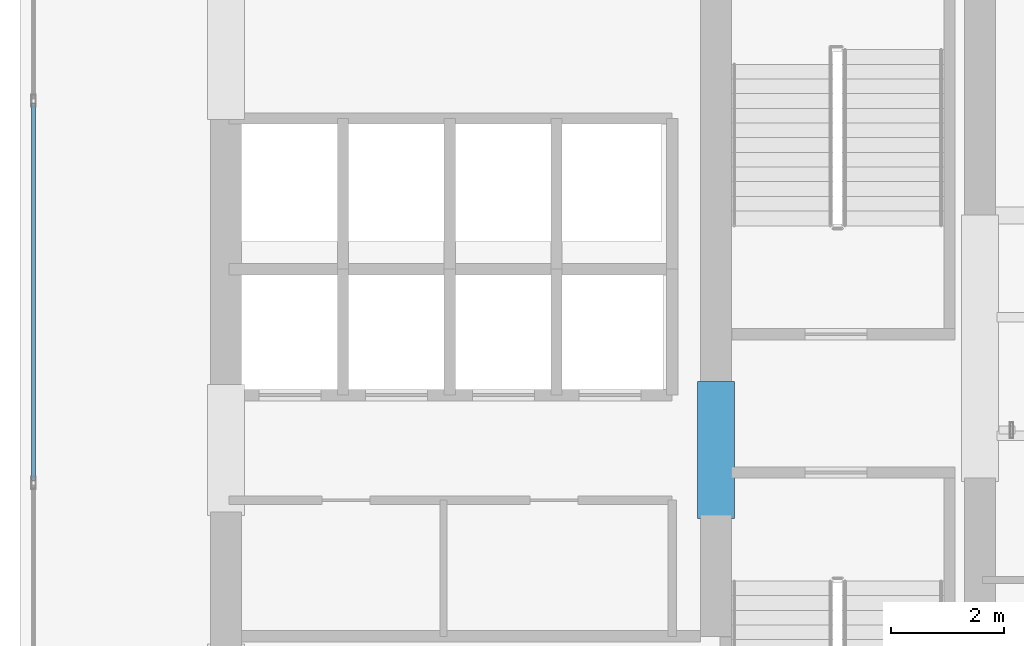
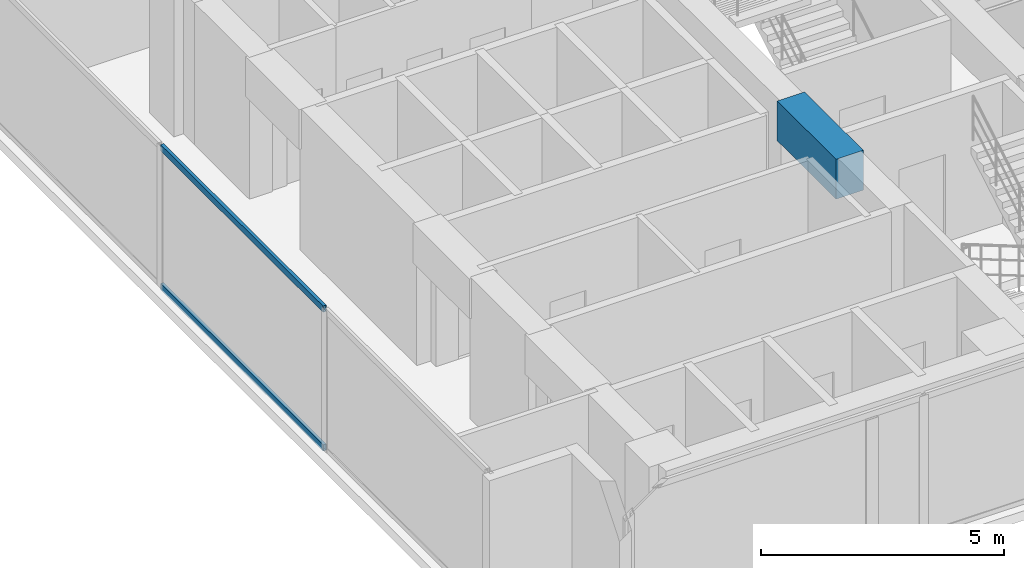
# One storey, part 3 of 25: 2 members, 1 beam, 1 element without a shape of its own.
"""IFC4 building model written with IfcOpenShell, lengths in metres."""

import ifcopenshell
import ifcopenshell.guid

model = None  # the IFC model being written
_history = None  # IfcOwnerHistory: only IFC2X3 demands one
_inside = {}  # id of a spatial element -> (the spatial element, [elements in it])
_under = {}  # id of a project, library or spatial element -> (it, [spatial elements below it])
_declared = {}  # id of a project -> (the project, [libraries it declares])
_typed = {}  # id of a type object -> (the type object, [elements of that type])
_made_of = {}  # id of a material, layer set ... -> (it, [elements and type objects made of it])


def new_model(schema):
    """Start an empty IFC model of exactly this schema.

    Asked for "IFC4X3", IfcOpenShell would pick the latest addendum, in which some entities
    have other attributes; the version numbers below select the first issue.
    IFC2X3 requires an IfcOwnerHistory on every rooted entity: one is made here for all.
    """
    global model, _history
    if schema == "IFC4X3":
        model = ifcopenshell.file(schema_version=(4, 3, 0, 0))
    else:
        model = ifcopenshell.file(schema=schema)
    _inside.clear()
    _under.clear()
    _declared.clear()
    _typed.clear()
    _made_of.clear()
    _history = None
    if model.schema == "IFC2X3":
        org = make("IfcOrganization", Name="unknown")
        user = make(
            "IfcPersonAndOrganization",
            ThePerson=make("IfcPerson", FamilyName="unknown"),
            TheOrganization=org,
        )
        app = make(
            "IfcApplication",
            ApplicationDeveloper=org,
            Version="unknown",
            ApplicationFullName="unknown",
            ApplicationIdentifier="unknown",
        )
        _history = make(
            "IfcOwnerHistory",
            OwningUser=user,
            OwningApplication=app,
            ChangeAction="ADDED",
            CreationDate=0,
        )
    return model


def make(cls, **values):
    """One entity of the class cls with the attributes given. An attribute that is None is left unset."""
    return model.create_entity(
        cls, **{name: value for name, value in values.items() if value is not None}
    )


def rooted(cls, **values):
    """An entity with a GlobalId (a new one), such as an element, a storey or a relation."""
    return make(cls, GlobalId=ifcopenshell.guid.new(), OwnerHistory=_history, **values)


def si_unit(unit_type, name, prefix=None):
    """IfcSIUnit, for example si_unit("LENGTHUNIT", "METRE", prefix="MILLI")."""
    return make("IfcSIUnit", UnitType=unit_type, Prefix=prefix, Name=name)


def assignment(units):
    """IfcUnitAssignment: the units of a project."""
    return None if units is None else make("IfcUnitAssignment", Units=units)


def point(xyz):
    """IfcCartesianPoint."""
    return None if xyz is None else make("IfcCartesianPoint", Coordinates=xyz)


def direction(xyz):
    """IfcDirection."""
    return None if xyz is None else make("IfcDirection", DirectionRatios=xyz)


def frame(location, z_axis=None, x_axis=None):
    """IfcAxis2Placement3D, a coordinate frame: its origin and axes. An axis left out is left unset."""
    return make(
        "IfcAxis2Placement3D",
        Location=point(location),
        Axis=direction(z_axis),
        RefDirection=direction(x_axis),
    )


def frame_2d(location, x_axis=None):
    """IfcAxis2Placement2D, a coordinate frame in the plane: its origin and x axis."""
    return make(
        "IfcAxis2Placement2D", Location=point(location), RefDirection=direction(x_axis)
    )


def origin():
    """The frame at (0, 0, 0) with its axes left unset."""
    return frame((0.0, 0.0, 0.0))


def origin_with_axes():
    """The frame at (0, 0, 0) with the z axis (0, 0, 1) and the x axis (1, 0, 0) written out."""
    return frame((0.0, 0.0, 0.0), z_axis=(0.0, 0.0, 1.0), x_axis=(1.0, 0.0, 0.0))


def origin_2d():
    """The frame at (0, 0) in the plane with its x axis left unset."""
    return frame_2d((0.0, 0.0))


def place(relative_to, where):
    """IfcLocalPlacement: puts the frame where relative to a parent placement (None: the world)."""
    return make(
        "IfcLocalPlacement", PlacementRelTo=relative_to, RelativePlacement=where
    )


def context(
    kind, dimensions, precision=None, world=None, true_north=None, identifier=None
):
    """IfcGeometricRepresentationContext, for example the 3D "Model" context."""
    return make(
        "IfcGeometricRepresentationContext",
        ContextIdentifier=identifier,
        ContextType=kind,
        CoordinateSpaceDimension=dimensions,
        Precision=precision,
        WorldCoordinateSystem=world,
        TrueNorth=true_north,
    )


def subcontext(parent, identifier, kind, view, scale=None):
    """IfcGeometricRepresentationSubContext, for example "Body" below "Model"."""
    return make(
        "IfcGeometricRepresentationSubContext",
        ContextIdentifier=identifier,
        ContextType=kind,
        ParentContext=parent,
        TargetScale=scale,
        TargetView=view,
    )


def project(units=None, contexts=None):
    """IfcProject with its units and contexts."""
    return rooted(
        "IfcProject",
        Name="project",
        RepresentationContexts=contexts,
        UnitsInContext=assignment(units),
    )


def spatial(cls, under=None, at=None, **own):
    """A site, building, storey or space (cls), placed at a placement, below another one or the project."""
    s = rooted(cls, ObjectPlacement=at, **own)
    if under is not None:
        _under.setdefault(under.id(), (under, []))[1].append(s)
    return s


def profile(cls, at=None, kind="AREA", **sizes):
    """A parametric profile (cls). Its sizes go by their IFC names, for example OverallWidth=200.0."""
    return make(cls, ProfileType=kind, Position=at, **sizes)


def rectangle(**sizes):
    """IfcRectangleProfileDef."""
    return profile("IfcRectangleProfileDef", **sizes)


def hollow_rectangle(**sizes):
    """IfcRectangleHollowProfileDef."""
    return profile("IfcRectangleHollowProfileDef", **sizes)


def extrude(swept, where, along, depth):
    """IfcExtrudedAreaSolid: the profile swept, set in the frame where, extruded along a direction by depth."""
    return make(
        "IfcExtrudedAreaSolid",
        SweptArea=swept,
        Position=where,
        ExtrudedDirection=direction(along),
        Depth=depth,
    )


def shape(context_of_items, identifier, shape_type, items):
    """IfcShapeRepresentation: the items that make up one representation, for example the "Body"."""
    return make(
        "IfcShapeRepresentation",
        ContextOfItems=context_of_items,
        RepresentationIdentifier=identifier,
        RepresentationType=shape_type,
        Items=items,
    )


def source(mapping_origin, context_of_items, identifier, shape_type, items):
    """IfcRepresentationMap: a shape defined once, which mapped items show again and again."""
    return make(
        "IfcRepresentationMap",
        MappingOrigin=mapping_origin,
        MappedRepresentation=shape(context_of_items, identifier, shape_type, items),
    )


def transform(
    local_origin,
    x_axis=None,
    y_axis=None,
    z_axis=None,
    scale=None,
    scale2=None,
    scale3=None,
    uniform=True,
):
    """IfcCartesianTransformationOperator3D, or its non-uniform kind. x_axis, y_axis, z_axis: its Axis1, 2, 3."""
    if uniform:
        return make(
            "IfcCartesianTransformationOperator3D",
            Axis1=direction(x_axis),
            Axis2=direction(y_axis),
            LocalOrigin=point(local_origin),
            Scale=scale,
            Axis3=direction(z_axis),
        )
    return make(
        "IfcCartesianTransformationOperator3DnonUniform",
        Axis1=direction(x_axis),
        Axis2=direction(y_axis),
        LocalOrigin=point(local_origin),
        Scale=scale,
        Axis3=direction(z_axis),
        Scale2=scale2,
        Scale3=scale3,
    )


def mapped(mapping_source, mapping_target):
    """IfcMappedItem: shows the shape of a source again, moved by a transform."""
    return make(
        "IfcMappedItem", MappingSource=mapping_source, MappingTarget=mapping_target
    )


def material(Name=None, Category=None):
    """IfcMaterial."""
    return make("IfcMaterial", Name=Name, Category=Category)


def layer(
    of_material, thickness, ventilated=None, Name=None, Category=None, Priority=None
):
    """IfcMaterialLayer: one layer of a wall or slab, of a material (None: an air gap)."""
    return make(
        "IfcMaterialLayer",
        Material=of_material,
        LayerThickness=thickness,
        IsVentilated=ventilated,
        Name=Name,
        Category=Category,
        Priority=Priority,
    )


def layer_set(layers, Name=None):
    """IfcMaterialLayerSet."""
    return make("IfcMaterialLayerSet", MaterialLayers=layers, LayerSetName=Name)


def material_profile(
    of_material, cross_section, Name=None, Category=None, Priority=None
):
    """IfcMaterialProfile: a cross section and its material."""
    return make(
        "IfcMaterialProfile",
        Name=Name,
        Material=of_material,
        Profile=cross_section,
        Priority=Priority,
        Category=Category,
    )


def profile_set(profiles, Name=None, composite=None):
    """IfcMaterialProfileSet."""
    return make(
        "IfcMaterialProfileSet",
        Name=Name,
        MaterialProfiles=profiles,
        CompositeProfile=composite,
    )


def made_of(thing, what):
    """Note that an element or type object is made of a material, layer set ...; save() writes the relation."""
    if what is not None:
        _made_of.setdefault(what.id(), (what, []))[1].append(thing)
    return thing


def type_object(cls, material=None, **own):
    """A type object (cls), such as IfcWallType, which elements share."""
    return made_of(rooted(cls, **own), material)


def element(
    cls,
    number,
    at=None,
    inside=None,
    cuts=None,
    type_object=None,
    material=None,
    context=None,
    identifier="Body",
    shape_type=None,
    held_by="IfcProductDefinitionShape",
    body=None,
    shapes=None,
    **own,
):
    """One element of the class cls, such as IfcWall. Its Tag is "e" and its number.

    at: its placement. inside: the storey or other place that contains it. cuts: it is an
    opening in that element (IfcRelVoidsElement). A single representation is given by context,
    identifier, shape_type and body (its items); several are given by shapes. held_by: the class
    of the entity that holds the representations. save() writes the other relations.
    """
    e = rooted(cls, Tag="e%d" % number, ObjectPlacement=at, **own)
    if body is not None:
        shapes = [shape(context, identifier, shape_type, body)]
    if shapes is not None:
        e.Representation = make(held_by, Representations=shapes)
    if inside is not None:
        _inside.setdefault(inside.id(), (inside, []))[1].append(e)
    if cuts is not None:
        rooted(
            "IfcRelVoidsElement", RelatingBuildingElement=cuts, RelatedOpeningElement=e
        )
    if type_object is not None:
        _typed.setdefault(type_object.id(), (type_object, []))[1].append(e)
    return made_of(e, material)


def aggregate(whole, parts):
    """IfcRelAggregates: a whole, such as a stair, and the parts it consists of."""
    return rooted("IfcRelAggregates", RelatingObject=whole, RelatedObjects=parts)


def save(model, path):
    """Write the relations noted so far, then the file.

    IfcRelAggregates (storeys below a building ...), IfcRelContainedInSpatialStructure (elements
    in a storey), IfcRelDefinesByType, IfcRelAssociatesMaterial and IfcRelDeclares: one each for
    every whole, place, type object, material and project.
    """
    for whole, parts in _under.values():
        aggregate(whole, parts)
    for where, things in _inside.values():
        rooted(
            "IfcRelContainedInSpatialStructure",
            RelatedElements=things,
            RelatingStructure=where,
        )
    for kind, things in _typed.values():
        rooted("IfcRelDefinesByType", RelatedObjects=things, RelatingType=kind)
    for what, things in _made_of.values():
        rooted("IfcRelAssociatesMaterial", RelatedObjects=things, RelatingMaterial=what)
    for by, libraries in _declared.values():
        rooted("IfcRelDeclares", RelatingContext=by, RelatedDefinitions=libraries)
    model.write(path)


model = new_model("IFC4")

# Units and contexts
model_context = context("Model", 3, precision=1e-05, world=origin(), true_north=direction((0.0, 1.0)))
body_context = subcontext(model_context, "Body", "Model", "MODEL_VIEW")
ifc_project = project(units=[si_unit("LENGTHUNIT", "METRE"), si_unit("AREAUNIT", "SQUARE_METRE"), si_unit("VOLUMEUNIT", "CUBIC_METRE"), si_unit("PLANEANGLEUNIT", "RADIAN"), si_unit("MASSUNIT", "GRAM", prefix="KILO")], contexts=[model_context])

# Site, building, storey
site_placement = place(None, origin())
site = spatial("IfcSite", under=ifc_project, at=site_placement, CompositionType="ELEMENT")
building_placement = place(site_placement, origin())
building = spatial("IfcBuilding", under=site, at=building_placement, Name="Kolvaren Waterfront Exchange", CompositionType="ELEMENT")
storey_placement = place(building_placement, frame((0.0, 0.0, 204.5)))
storey = spatial("IfcBuildingStorey", under=building, at=storey_placement, Name="L52", CompositionType="ELEMENT", Elevation=204.5)

# Beam
ifc_material_1 = material(Name="Concrete C60/75", Category="concrete")
ifc_material_profile_1 = material_profile(ifc_material_1, rectangle(XDim=0.64990234375, YDim=1.0, at=origin_2d()), Name="RC-CB-1000x650")
ifc_profile_set_1 = profile_set([ifc_material_profile_1], Name="Concrete C60/75")
beam_type = type_object("IfcBeamType", Name="STR-CB-1000", PredefinedType="SPANDREL", material=ifc_profile_set_1)
beam_placement = place(storey_placement, frame((16.125, 12.0400390625, 3.06005859375), z_axis=(0.0, 1.0, 0.0), x_axis=(-1.0, 0.0, 0.0)))
element("IfcBeam", 1, at=beam_placement, inside=storey, type_object=beam_type, Name="L52 core coupling beam 6", PredefinedType="SPANDREL", context=body_context, shape_type="SweptSolid", body=[
    extrude(rectangle(XDim=0.64990234375, YDim=1.0, at=origin_2d()), origin(), (0.0, 0.0, 1.0), 2.419921875),
])

# Curtain wall, members
ifc_material_2 = material(Name="Anodised aluminium 6063-T6", Category="aluminium")
ifc_layer = layer(ifc_material_2, 0.219970703125, Name="Anodised aluminium 6063-T6")
ifc_layer_set = layer_set([ifc_layer], Name="Anodised aluminium 6063-T6")
curtain_wall_type = type_object("IfcCurtainWallType", Name="ARC-CW-SYS2", PredefinedType="USERDEFINED", material=ifc_layer_set)
curtain_wall_placement = place(storey_placement, origin())
curtain_wall = element("IfcCurtainWall", 2, at=curtain_wall_placement, inside=storey, type_object=curtain_wall_type, Name="L52 stick curtain wall CW2 (CW-L52-W)", ObjectType="STICK CURTAIN WALL", PredefinedType="USERDEFINED")
ifc_material_profile_2 = material_profile(ifc_material_2, hollow_rectangle(XDim=0.074951171875, YDim=0.159912109375, WallThickness=0.00439453125, at=origin_2d()), Name="ALU-TRN-160x75x4.5")
ifc_profile_set_2 = profile_set([ifc_material_profile_2], Name="Anodised aluminium 6063-T6")
member_type = type_object("IfcMemberType", Name="ARC-CWT-160", PredefinedType="USERDEFINED", material=ifc_profile_set_2)
shared_shape = source(origin_with_axes(), body_context, "Body", "SweptSolid", [
    extrude(hollow_rectangle(XDim=0.074951171875, YDim=0.159912109375, WallThickness=0.00439453125, at=origin_2d()), origin(), (0.0, 0.0, 1.0), 6.6865234375),
])
member_1_placement = place(storey_placement, frame((4.0400390625, 12.706787109375, 0.03759765625), z_axis=(0.0, 1.0, 0.0), x_axis=(-1.0, 0.0, 0.0)))
member_1 = element("IfcMember", 3, at=member_1_placement, type_object=member_type, Name="CW2 transom 2.1", ObjectType="TRANSOM", PredefinedType="USERDEFINED", context=body_context, shape_type="MappedRepresentation", body=[
    mapped(shared_shape, transform((0.0, 0.0, 0.0), x_axis=(1.0, 0.0, 0.0), y_axis=(0.0, 1.0, 0.0), z_axis=(0.0, 0.0, 1.0), scale=1.0)),
])
member_2_placement = place(storey_placement, frame((4.0400390625, 12.706787109375, 3.5224609375), z_axis=(0.0, 1.0, 0.0), x_axis=(-1.0, 0.0, 0.0)))
member_2 = element("IfcMember", 4, at=member_2_placement, type_object=member_type, Name="CW2 transom 2.2", ObjectType="TRANSOM", PredefinedType="USERDEFINED", context=body_context, shape_type="MappedRepresentation", body=[
    mapped(shared_shape, transform((0.0, 0.0, 0.0), x_axis=(1.0, 0.0, 0.0), y_axis=(0.0, 1.0, 0.0), z_axis=(0.0, 0.0, 1.0), scale=1.0)),
])
aggregate(curtain_wall, [member_1, member_2])

save(model, "model.ifc")
